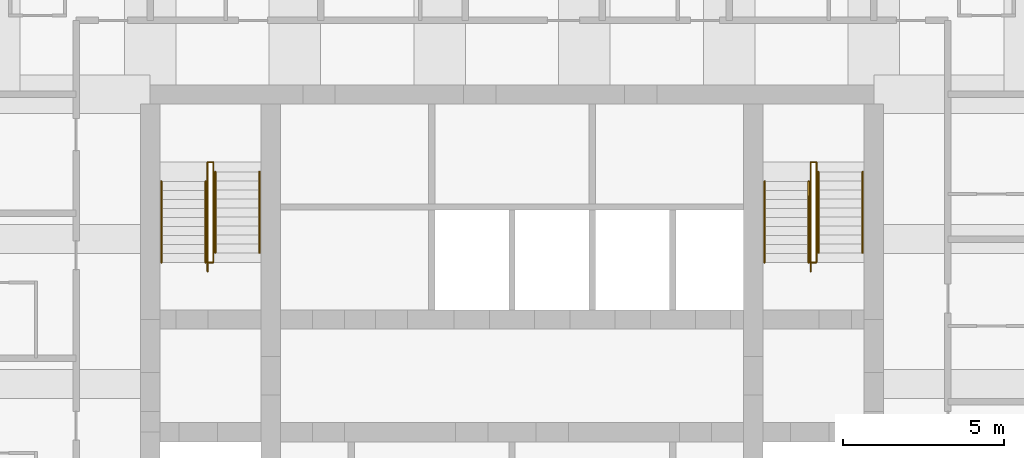
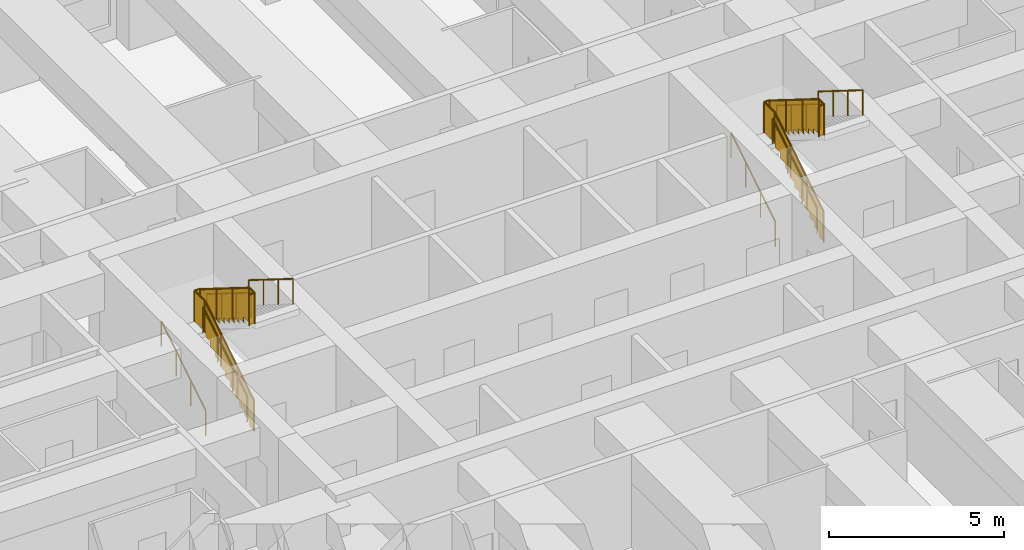
# One storey, part 8 of 8: 12 railings.
"""IFC4 building model written with IfcOpenShell, lengths in metres."""

from ifc_helpers import new_model, si_unit, direction, frame, origin, origin_2d, place, context, subcontext, project, spatial, polyline, circle, outline, extrude, material, type_object, element, save


model = new_model("IFC4")

# Units and contexts
model_context = context("Model", 3, precision=1e-05, world=origin(), true_north=direction((0.0, 1.0)))
body_context = subcontext(model_context, "Body", "Model", "MODEL_VIEW")
ifc_project = project(units=[si_unit("LENGTHUNIT", "METRE"), si_unit("AREAUNIT", "SQUARE_METRE"), si_unit("VOLUMEUNIT", "CUBIC_METRE"), si_unit("PLANEANGLEUNIT", "RADIAN"), si_unit("MASSUNIT", "GRAM", prefix="KILO")], contexts=[model_context])

# Site, building, storey
site_placement = place(None, origin())
site = spatial("IfcSite", under=ifc_project, at=site_placement, CompositionType="ELEMENT")
building_placement = place(site_placement, origin())
building = spatial("IfcBuilding", under=site, at=building_placement, Name="Kilele Tower Hotel", CompositionType="ELEMENT")
storey_placement = place(building_placement, frame((0.0, 0.0, 193.89990234375)))
storey = spatial("IfcBuildingStorey", under=building, at=storey_placement, Name="L50", CompositionType="ELEMENT", Elevation=193.89990234375)

# Railings
ifc_material_1 = material(Name="Steel handrail", Category="steel")
railing_type_1 = type_object("IfcRailingType", Name="Handrail 900", PredefinedType="HANDRAIL", material=ifc_material_1)
for number, where, name in (
    (1, (13.85009765625, 21.77490234375, 0.175048828125), "Handrail ST1 flight 1"),
    (2, (15.22509765625, 21.77490234375, 0.175048828125), "Handrail ST1 flight 1"),
):
    element("IfcRailing", number, at=place(storey_placement, frame(where)), inside=storey, type_object=railing_type_1, Name=name, PredefinedType="HANDRAIL", context=body_context, shape_type="SweptSolid", body=[
        extrude(circle(Radius=0.02490234375, at=origin_2d()), frame((0.0, 0.0, 0.875), z_axis=(0.0, 0.848007534815, 0.529984170421), x_axis=(-1.0, 0.0, 0.0)), (0.0, 0.0, 1.0), 2.9716796875),
        extrude(circle(Radius=0.02001953125, at=origin_2d()), origin(), (0.0, 0.0, 1.0), 0.849853515625),
        extrude(circle(Radius=0.02001953125, at=origin_2d()), frame((0.0, 0.840087890625, 0.52490234375)), (0.0, 0.0, 1.0), 0.849853515625),
        extrude(circle(Radius=0.02001953125, at=origin_2d()), frame((0.0, 1.679931640625, 1.050048828125)), (0.0, 0.0, 1.0), 0.849853515625),
        extrude(circle(Radius=0.02001953125, at=origin_2d()), frame((0.0, 2.52001953125, 1.574951171875)), (0.0, 0.0, 1.0), 0.849853515625),
    ])
for number, where, name in (
    (3, (15.52490234375, 24.594970703125, 1.925048828125), "Handrail ST1 flight 2"),
    (4, (16.89990234375, 24.594970703125, 1.925048828125), "Handrail ST1 flight 2"),
):
    element("IfcRailing", number, at=place(storey_placement, frame(where)), inside=storey, type_object=railing_type_1, Name=name, PredefinedType="HANDRAIL", context=body_context, shape_type="SweptSolid", body=[
        extrude(circle(Radius=0.02490234375, at=origin_2d()), frame((0.0, 0.0, 0.875), z_axis=(0.0, -0.848007534815, 0.529984170421), x_axis=(1.0, 0.0, 0.0)), (0.0, 0.0, 1.0), 2.9716796875),
        extrude(circle(Radius=0.02001953125, at=origin_2d()), origin(), (0.0, 0.0, 1.0), 0.849853515625),
        extrude(circle(Radius=0.02001953125, at=origin_2d()), frame((0.0, -0.840087890625, 0.52490234375)), (0.0, 0.0, 1.0), 0.849853515625),
        extrude(circle(Radius=0.02001953125, at=origin_2d()), frame((0.0, -1.679931640625, 1.050048828125)), (0.0, 0.0, 1.0), 0.849853515625),
        extrude(circle(Radius=0.02001953125, at=origin_2d()), frame((0.0, -2.52001953125, 1.574951171875)), (0.0, 0.0, 1.0), 0.849853515625),
    ])
for number, where, name in (
    (5, (32.60009765625, 21.77490234375, 0.175048828125), "Handrail ST2 flight 1"),
    (6, (33.97509765625, 21.77490234375, 0.175048828125), "Handrail ST2 flight 1"),
):
    element("IfcRailing", number, at=place(storey_placement, frame(where)), inside=storey, type_object=railing_type_1, Name=name, PredefinedType="HANDRAIL", context=body_context, shape_type="SweptSolid", body=[
        extrude(circle(Radius=0.02490234375, at=origin_2d()), frame((0.0, 0.0, 0.875), z_axis=(0.0, 0.848007534815, 0.529984170421), x_axis=(-1.0, 0.0, 0.0)), (0.0, 0.0, 1.0), 2.9716796875),
        extrude(circle(Radius=0.02001953125, at=origin_2d()), origin(), (0.0, 0.0, 1.0), 0.849853515625),
        extrude(circle(Radius=0.02001953125, at=origin_2d()), frame((0.0, 0.840087890625, 0.52490234375)), (0.0, 0.0, 1.0), 0.849853515625),
        extrude(circle(Radius=0.02001953125, at=origin_2d()), frame((0.0, 1.679931640625, 1.050048828125)), (0.0, 0.0, 1.0), 0.849853515625),
        extrude(circle(Radius=0.02001953125, at=origin_2d()), frame((0.0, 2.52001953125, 1.574951171875)), (0.0, 0.0, 1.0), 0.849853515625),
    ])
for number, where, name in (
    (7, (34.27490234375, 24.594970703125, 1.925048828125), "Handrail ST2 flight 2"),
    (8, (35.64990234375, 24.594970703125, 1.925048828125), "Handrail ST2 flight 2"),
):
    element("IfcRailing", number, at=place(storey_placement, frame(where)), inside=storey, type_object=railing_type_1, Name=name, PredefinedType="HANDRAIL", context=body_context, shape_type="SweptSolid", body=[
        extrude(circle(Radius=0.02490234375, at=origin_2d()), frame((0.0, 0.0, 0.875), z_axis=(0.0, -0.848007534815, 0.529984170421), x_axis=(1.0, 0.0, 0.0)), (0.0, 0.0, 1.0), 2.9716796875),
        extrude(circle(Radius=0.02001953125, at=origin_2d()), origin(), (0.0, 0.0, 1.0), 0.849853515625),
        extrude(circle(Radius=0.02001953125, at=origin_2d()), frame((0.0, -0.840087890625, 0.52490234375)), (0.0, 0.0, 1.0), 0.849853515625),
        extrude(circle(Radius=0.02001953125, at=origin_2d()), frame((0.0, -1.679931640625, 1.050048828125)), (0.0, 0.0, 1.0), 0.849853515625),
        extrude(circle(Radius=0.02001953125, at=origin_2d()), frame((0.0, -2.52001953125, 1.574951171875)), (0.0, 0.0, 1.0), 0.849853515625),
    ])
ifc_material_2 = material(Name="Steel guard", Category="steel")
railing_type_2 = type_object("IfcRailingType", Name="Stair guard 1100", PredefinedType="GUARDRAIL", material=ifc_material_2)
railing_1_placement = place(storey_placement, frame((15.284912109375, 21.4951171875, 0.0)))
element("IfcRailing", 9, at=railing_1_placement, inside=storey, type_object=railing_type_2, Name="Stair well guard ST1 flight 1", PredefinedType="GUARDRAIL", context=body_context, shape_type="SweptSolid", body=[
    extrude(circle(Radius=0.02490234375, at=origin_2d()), frame((0.0, 0.0, 1.0751953125), z_axis=(0.0, 0.847981687118, 0.530025526095), x_axis=(-1.0, 0.0, 0.0)), (0.0, 0.0, 1.0), 3.3017578125),
    extrude(circle(Radius=0.02490234375, at=origin_2d()), frame((0.0, 2.7998046875, 2.8251953125), z_axis=(0.0, 1.0, 0.0), x_axis=(-1.0, 0.0, 0.0)), (0.0, 0.0, 1.0), 0.60009765625),
    extrude(circle(Radius=0.02490234375, at=origin_2d()), frame((0.0, 3.39990234375, 2.8251953125), z_axis=(1.0, 0.0, 0.0), x_axis=(0.0, 1.0, 0.0)), (0.0, 0.0, 1.0), 0.18017578125),
    extrude(circle(Radius=0.02490234375, at=origin_2d()), origin(), (0.0, 0.0, 1.0), 1.050048828125),
    extrude(circle(Radius=0.02490234375, at=origin_2d()), frame((0.0, 0.933349609375, 0.583251953125)), (0.0, 0.0, 1.0), 1.050048828125),
    extrude(circle(Radius=0.02490234375, at=origin_2d()), frame((0.0, 1.866455078125, 1.166748046875)), (0.0, 0.0, 1.0), 1.050048828125),
    extrude(circle(Radius=0.02490234375, at=origin_2d()), frame((0.0, 2.7998046875, 1.75)), (0.0, 0.0, 1.0), 1.050048828125),
    extrude(circle(Radius=0.02490234375, at=origin_2d()), frame((0.0, 3.39990234375, 1.75)), (0.0, 0.0, 1.0), 1.050048828125),
    extrude(circle(Radius=0.02490234375, at=origin_2d()), frame((0.18017578125, 3.39990234375, 1.75)), (0.0, 0.0, 1.0), 1.050048828125),
    extrude(outline(polyline([(0.012451171875, 0.030029296875), (0.25, 0.030029296875), (0.25, 0.205078125), (0.530029296875, 0.205078125), (0.530029296875, 0.380126953125), (0.809814453125, 0.380126953125), (0.809814453125, 0.554931640625), (1.08984375, 0.554931640625), (1.08984375, 0.72998046875), (1.369873046875, 0.72998046875), (1.369873046875, 0.905029296875), (1.64990234375, 0.905029296875), (1.64990234375, 1.080078125), (1.929931640625, 1.080078125), (1.929931640625, 1.255126953125), (2.209716796875, 1.255126953125), (2.209716796875, 1.429931640625), (2.48974609375, 1.429931640625), (2.48974609375, 1.60498046875), (2.769775390625, 1.60498046875), (2.769775390625, 1.780029296875), (2.787353515625, 1.780029296875), (2.787353515625, 2.787841796875), (0.012451171875, 1.053466796875), (0.012451171875, 0.030029296875)])), frame((-0.005859375, 0.0, 0.0), z_axis=(1.0, 0.0, 0.0), x_axis=(0.0, 1.0, 0.0)), (0.0, 0.0, 1.0), 0.011962890625),
    extrude(outline(polyline([(0.012451171875, 0.030029296875), (0.587646484375, 0.030029296875), (0.587646484375, 1.050048828125), (0.012451171875, 1.050048828125), (0.012451171875, 0.030029296875)])), frame((-0.005859375, 2.7998046875, 1.75), z_axis=(1.0, 0.0, 0.0), x_axis=(0.0, 1.0, 0.0)), (0.0, 0.0, 1.0), 0.011962890625),
    extrude(outline(polyline([(0.012451171875, 0.030029296875), (0.18017578125, 0.030029296875), (0.18017578125, 1.050048828125), (0.012451171875, 1.050048828125), (0.012451171875, 0.030029296875)])), frame((0.0, 3.40576171875, 1.75), z_axis=(0.0, -1.0, 0.0), x_axis=(1.0, 0.0, 0.0)), (0.0, 0.0, 1.0), 0.011962890625),
])
railing_2_placement = place(storey_placement, frame((15.465087890625, 24.89501953125, 1.75)))
element("IfcRailing", 10, at=railing_2_placement, inside=storey, type_object=railing_type_2, Name="Stair well guard ST1 flight 2", PredefinedType="GUARDRAIL", context=body_context, shape_type="SweptSolid", body=[
    extrude(circle(Radius=0.02490234375, at=origin_2d()), frame((0.0, 0.0, 1.0751953125), z_axis=(0.0, -1.0, 0.0), x_axis=(1.0, 0.0, 0.0)), (0.0, 0.0, 1.0), 0.02001953125),
    extrude(circle(Radius=0.02490234375, at=origin_2d()), frame((0.0, -0.02001953125, 1.0751953125), z_axis=(0.0, -0.848002457836, 0.529992293815), x_axis=(1.0, 0.0, 0.0)), (0.0, 0.0, 1.0), 3.302001953125),
    extrude(circle(Radius=0.02490234375, at=origin_2d()), frame((0.0, -2.820068359375, 2.8251953125), z_axis=(0.0, -1.0, 0.0), x_axis=(1.0, 0.0, 0.0)), (0.0, 0.0, 1.0), 0.300048828125),
    extrude(circle(Radius=0.02490234375, at=origin_2d()), frame((0.0, -3.1201171875, 2.8251953125), z_axis=(-1.0, 0.0, 0.0), x_axis=(0.0, -1.0, 0.0)), (0.0, 0.0, 1.0), 0.18017578125),
    extrude(circle(Radius=0.02490234375, at=origin_2d()), origin(), (0.0, 0.0, 1.0), 1.050048828125),
    extrude(circle(Radius=0.02490234375, at=origin_2d()), frame((0.0, -0.02001953125, 0.0)), (0.0, 0.0, 1.0), 1.050048828125),
    extrude(circle(Radius=0.02490234375, at=origin_2d()), frame((0.0, -0.953369140625, 0.583251953125)), (0.0, 0.0, 1.0), 1.050048828125),
    extrude(circle(Radius=0.02490234375, at=origin_2d()), frame((0.0, -1.88671875, 1.166748046875)), (0.0, 0.0, 1.0), 1.050048828125),
    extrude(circle(Radius=0.02490234375, at=origin_2d()), frame((0.0, -2.820068359375, 1.75)), (0.0, 0.0, 1.0), 1.050048828125),
    extrude(circle(Radius=0.02490234375, at=origin_2d()), frame((0.0, -3.1201171875, 1.75)), (0.0, 0.0, 1.0), 1.050048828125),
    extrude(circle(Radius=0.02490234375, at=origin_2d()), frame((-0.18017578125, -3.1201171875, 1.75)), (0.0, 0.0, 1.0), 1.050048828125),
    extrude(outline(polyline([(0.012451171875, 0.030029296875), (0.25, 0.030029296875), (0.25, 0.205078125), (0.530029296875, 0.205078125), (0.530029296875, 0.380126953125), (0.81005859375, 0.380126953125), (0.81005859375, 0.554931640625), (1.090087890625, 0.554931640625), (1.090087890625, 0.72998046875), (1.3701171875, 0.72998046875), (1.3701171875, 0.905029296875), (1.64990234375, 0.905029296875), (1.64990234375, 1.080078125), (1.929931640625, 1.080078125), (1.929931640625, 1.255126953125), (2.2099609375, 1.255126953125), (2.2099609375, 1.429931640625), (2.489990234375, 1.429931640625), (2.489990234375, 1.60498046875), (2.77001953125, 1.60498046875), (2.77001953125, 1.780029296875), (2.78759765625, 1.780029296875), (2.78759765625, 2.787841796875), (0.012451171875, 1.053466796875), (0.012451171875, 0.030029296875)])), frame((0.005859375, -0.02001953125, 0.0), z_axis=(-1.0, 0.0, 0.0), x_axis=(0.0, -1.0, 0.0)), (0.0, 0.0, 1.0), 0.011962890625),
    extrude(outline(polyline([(0.012451171875, 0.030029296875), (0.28759765625, 0.030029296875), (0.28759765625, 1.050048828125), (0.012451171875, 1.050048828125), (0.012451171875, 0.030029296875)])), frame((0.005859375, -2.820068359375, 1.75), z_axis=(-1.0, 0.0, 0.0), x_axis=(0.0, -1.0, 0.0)), (0.0, 0.0, 1.0), 0.011962890625),
    extrude(outline(polyline([(0.012451171875, 0.030029296875), (0.18017578125, 0.030029296875), (0.18017578125, 1.050048828125), (0.012451171875, 1.050048828125), (0.012451171875, 0.030029296875)])), frame((0.0, -3.1259765625, 1.75), z_axis=(0.0, 1.0, 0.0), x_axis=(-1.0, 0.0, 0.0)), (0.0, 0.0, 1.0), 0.011962890625),
])
railing_3_placement = place(storey_placement, frame((34.034912109375, 21.4951171875, 0.0)))
element("IfcRailing", 11, at=railing_3_placement, inside=storey, type_object=railing_type_2, Name="Stair well guard ST2 flight 1", PredefinedType="GUARDRAIL", context=body_context, shape_type="SweptSolid", body=[
    extrude(circle(Radius=0.02490234375, at=origin_2d()), frame((0.0, 0.0, 1.0751953125), z_axis=(0.0, 0.847981687118, 0.530025526095), x_axis=(-1.0, 0.0, 0.0)), (0.0, 0.0, 1.0), 3.3017578125),
    extrude(circle(Radius=0.02490234375, at=origin_2d()), frame((0.0, 2.7998046875, 2.8251953125), z_axis=(0.0, 1.0, 0.0), x_axis=(-1.0, 0.0, 0.0)), (0.0, 0.0, 1.0), 0.60009765625),
    extrude(circle(Radius=0.02490234375, at=origin_2d()), frame((0.0, 3.39990234375, 2.8251953125), z_axis=(1.0, 0.0, 0.0), x_axis=(0.0, 1.0, 0.0)), (0.0, 0.0, 1.0), 0.18017578125),
    extrude(circle(Radius=0.02490234375, at=origin_2d()), origin(), (0.0, 0.0, 1.0), 1.050048828125),
    extrude(circle(Radius=0.02490234375, at=origin_2d()), frame((0.0, 0.933349609375, 0.583251953125)), (0.0, 0.0, 1.0), 1.050048828125),
    extrude(circle(Radius=0.02490234375, at=origin_2d()), frame((0.0, 1.866455078125, 1.166748046875)), (0.0, 0.0, 1.0), 1.050048828125),
    extrude(circle(Radius=0.02490234375, at=origin_2d()), frame((0.0, 2.7998046875, 1.75)), (0.0, 0.0, 1.0), 1.050048828125),
    extrude(circle(Radius=0.02490234375, at=origin_2d()), frame((0.0, 3.39990234375, 1.75)), (0.0, 0.0, 1.0), 1.050048828125),
    extrude(circle(Radius=0.02490234375, at=origin_2d()), frame((0.18017578125, 3.39990234375, 1.75)), (0.0, 0.0, 1.0), 1.050048828125),
    extrude(outline(polyline([(0.012451171875, 0.030029296875), (0.25, 0.030029296875), (0.25, 0.205078125), (0.530029296875, 0.205078125), (0.530029296875, 0.380126953125), (0.809814453125, 0.380126953125), (0.809814453125, 0.554931640625), (1.08984375, 0.554931640625), (1.08984375, 0.72998046875), (1.369873046875, 0.72998046875), (1.369873046875, 0.905029296875), (1.64990234375, 0.905029296875), (1.64990234375, 1.080078125), (1.929931640625, 1.080078125), (1.929931640625, 1.255126953125), (2.209716796875, 1.255126953125), (2.209716796875, 1.429931640625), (2.48974609375, 1.429931640625), (2.48974609375, 1.60498046875), (2.769775390625, 1.60498046875), (2.769775390625, 1.780029296875), (2.787353515625, 1.780029296875), (2.787353515625, 2.787841796875), (0.012451171875, 1.053466796875), (0.012451171875, 0.030029296875)])), frame((-0.005859375, 0.0, 0.0), z_axis=(1.0, 0.0, 0.0), x_axis=(0.0, 1.0, 0.0)), (0.0, 0.0, 1.0), 0.011962890625),
    extrude(outline(polyline([(0.012451171875, 0.030029296875), (0.587646484375, 0.030029296875), (0.587646484375, 1.050048828125), (0.012451171875, 1.050048828125), (0.012451171875, 0.030029296875)])), frame((-0.005859375, 2.7998046875, 1.75), z_axis=(1.0, 0.0, 0.0), x_axis=(0.0, 1.0, 0.0)), (0.0, 0.0, 1.0), 0.011962890625),
    extrude(outline(polyline([(0.012451171875, 0.030029296875), (0.18017578125, 0.030029296875), (0.18017578125, 1.050048828125), (0.012451171875, 1.050048828125), (0.012451171875, 0.030029296875)])), frame((0.0, 3.40576171875, 1.75), z_axis=(0.0, -1.0, 0.0), x_axis=(1.0, 0.0, 0.0)), (0.0, 0.0, 1.0), 0.011962890625),
])
railing_4_placement = place(storey_placement, frame((34.215087890625, 24.89501953125, 1.75)))
element("IfcRailing", 12, at=railing_4_placement, inside=storey, type_object=railing_type_2, Name="Stair well guard ST2 flight 2", PredefinedType="GUARDRAIL", context=body_context, shape_type="SweptSolid", body=[
    extrude(circle(Radius=0.02490234375, at=origin_2d()), frame((0.0, 0.0, 1.0751953125), z_axis=(0.0, -1.0, 0.0), x_axis=(1.0, 0.0, 0.0)), (0.0, 0.0, 1.0), 0.02001953125),
    extrude(circle(Radius=0.02490234375, at=origin_2d()), frame((0.0, -0.02001953125, 1.0751953125), z_axis=(0.0, -0.848002457836, 0.529992293815), x_axis=(1.0, 0.0, 0.0)), (0.0, 0.0, 1.0), 3.302001953125),
    extrude(circle(Radius=0.02490234375, at=origin_2d()), frame((0.0, -2.820068359375, 2.8251953125), z_axis=(0.0, -1.0, 0.0), x_axis=(1.0, 0.0, 0.0)), (0.0, 0.0, 1.0), 0.300048828125),
    extrude(circle(Radius=0.02490234375, at=origin_2d()), frame((0.0, -3.1201171875, 2.8251953125), z_axis=(-1.0, 0.0, 0.0), x_axis=(0.0, -1.0, 0.0)), (0.0, 0.0, 1.0), 0.18017578125),
    extrude(circle(Radius=0.02490234375, at=origin_2d()), origin(), (0.0, 0.0, 1.0), 1.050048828125),
    extrude(circle(Radius=0.02490234375, at=origin_2d()), frame((0.0, -0.02001953125, 0.0)), (0.0, 0.0, 1.0), 1.050048828125),
    extrude(circle(Radius=0.02490234375, at=origin_2d()), frame((0.0, -0.953369140625, 0.583251953125)), (0.0, 0.0, 1.0), 1.050048828125),
    extrude(circle(Radius=0.02490234375, at=origin_2d()), frame((0.0, -1.88671875, 1.166748046875)), (0.0, 0.0, 1.0), 1.050048828125),
    extrude(circle(Radius=0.02490234375, at=origin_2d()), frame((0.0, -2.820068359375, 1.75)), (0.0, 0.0, 1.0), 1.050048828125),
    extrude(circle(Radius=0.02490234375, at=origin_2d()), frame((0.0, -3.1201171875, 1.75)), (0.0, 0.0, 1.0), 1.050048828125),
    extrude(circle(Radius=0.02490234375, at=origin_2d()), frame((-0.18017578125, -3.1201171875, 1.75)), (0.0, 0.0, 1.0), 1.050048828125),
    extrude(outline(polyline([(0.012451171875, 0.030029296875), (0.25, 0.030029296875), (0.25, 0.205078125), (0.530029296875, 0.205078125), (0.530029296875, 0.380126953125), (0.81005859375, 0.380126953125), (0.81005859375, 0.554931640625), (1.090087890625, 0.554931640625), (1.090087890625, 0.72998046875), (1.3701171875, 0.72998046875), (1.3701171875, 0.905029296875), (1.64990234375, 0.905029296875), (1.64990234375, 1.080078125), (1.929931640625, 1.080078125), (1.929931640625, 1.255126953125), (2.2099609375, 1.255126953125), (2.2099609375, 1.429931640625), (2.489990234375, 1.429931640625), (2.489990234375, 1.60498046875), (2.77001953125, 1.60498046875), (2.77001953125, 1.780029296875), (2.78759765625, 1.780029296875), (2.78759765625, 2.787841796875), (0.012451171875, 1.053466796875), (0.012451171875, 0.030029296875)])), frame((0.005859375, -0.02001953125, 0.0), z_axis=(-1.0, 0.0, 0.0), x_axis=(0.0, -1.0, 0.0)), (0.0, 0.0, 1.0), 0.011962890625),
    extrude(outline(polyline([(0.012451171875, 0.030029296875), (0.28759765625, 0.030029296875), (0.28759765625, 1.050048828125), (0.012451171875, 1.050048828125), (0.012451171875, 0.030029296875)])), frame((0.005859375, -2.820068359375, 1.75), z_axis=(-1.0, 0.0, 0.0), x_axis=(0.0, -1.0, 0.0)), (0.0, 0.0, 1.0), 0.011962890625),
    extrude(outline(polyline([(0.012451171875, 0.030029296875), (0.18017578125, 0.030029296875), (0.18017578125, 1.050048828125), (0.012451171875, 1.050048828125), (0.012451171875, 0.030029296875)])), frame((0.0, -3.1259765625, 1.75), z_axis=(0.0, 1.0, 0.0), x_axis=(-1.0, 0.0, 0.0)), (0.0, 0.0, 1.0), 0.011962890625),
])

save(model, "model.ifc")
